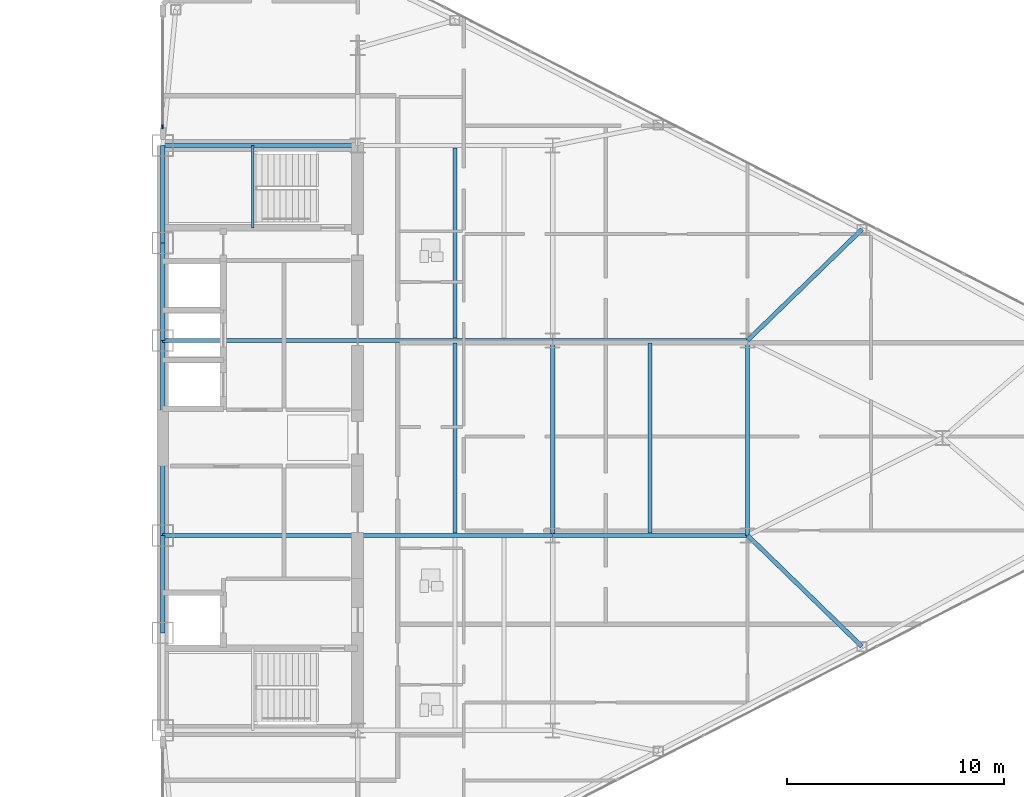
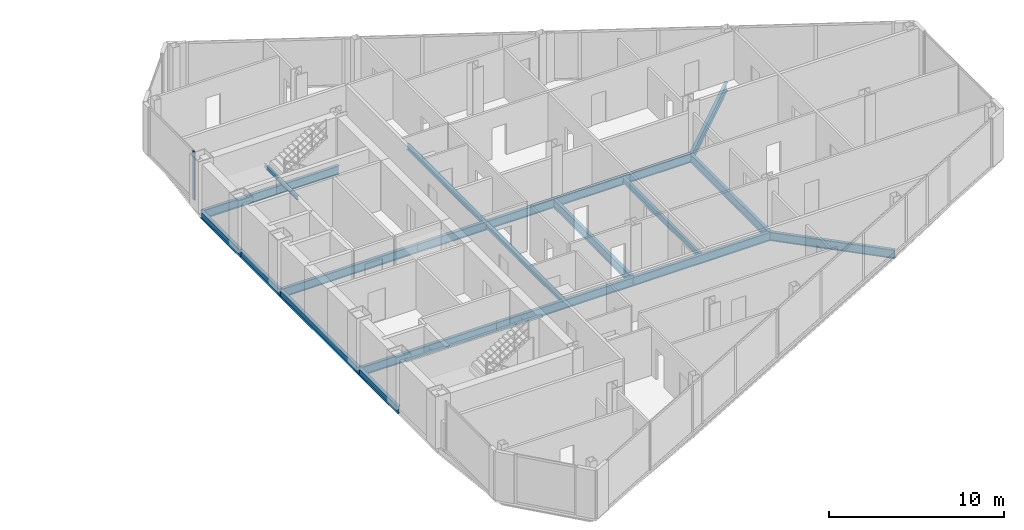
# One storey, part 10 of 23: 19 beams, 1 member, 1 element without a shape of its own.
"""IFC4 building model written with IfcOpenShell, lengths in metres."""

from ifc_helpers import new_model, si_unit, direction, frame, origin, origin_2d, place, context, subcontext, project, spatial, rectangle, i_section, extrude, source, transform, mapped, material, layer, layer_set, material_profile, profile_set, type_object, type_shapes, element, aggregate, save


model = new_model("IFC4")

# Units and contexts
model_context = context("Model", 3, precision=1e-05, world=origin(), true_north=direction((0.0, 1.0)))
body_context = subcontext(model_context, "Body", "Model", "MODEL_VIEW")
ifc_project = project(units=[si_unit("LENGTHUNIT", "METRE"), si_unit("AREAUNIT", "SQUARE_METRE"), si_unit("VOLUMEUNIT", "CUBIC_METRE"), si_unit("PLANEANGLEUNIT", "RADIAN"), si_unit("MASSUNIT", "GRAM", prefix="KILO")], contexts=[model_context])

# Site, building, storey
site_placement = place(None, origin())
site = spatial("IfcSite", under=ifc_project, at=site_placement, CompositionType="ELEMENT")
building_placement = place(site_placement, origin())
building = spatial("IfcBuilding", under=site, at=building_placement, Name="Seokmaru Belvedere", CompositionType="ELEMENT")
storey_placement = place(building_placement, frame((0.0, 0.0, 154.800048828125)))
storey = spatial("IfcBuildingStorey", under=building, at=storey_placement, Name="L41", CompositionType="ELEMENT", Elevation=154.800048828125)

# Beams
ifc_material_1 = material(Name="Steel SM355 (355 MPa)", Category="steel")
ifc_material_profile_1 = material_profile(ifc_material_1, i_section(OverallWidth=0.199951171875, OverallDepth=0.5, WebThickness=0.010009765625, FlangeThickness=0.01611328125, at=origin_2d()), Name="H-500x200x10x16")
ifc_profile_set_1 = profile_set([ifc_material_profile_1], Name="Steel SM355 (355 MPa)")
beam_type_1 = type_object("IfcBeamType", Name="Perimeter Spandrel Beam H-500", PredefinedType="SPANDREL", material=ifc_profile_set_1)
shared_shape_1 = source(origin(), body_context, "Body", "SweptSolid", [
    extrude(i_section(OverallWidth=0.199951171875, OverallDepth=0.5, WebThickness=0.010009765625, FlangeThickness=0.01611328125, at=origin_2d()), origin(), (0.0, 0.0, 1.0), 4.5),
])
for number, where, z_axis, x_axis, name in (
    (1, (27.5, -9.0, -0.469970703125), (0.0, 1.0, 0.0), (-1.0, 0.0, 0.0), "L41 E Portal Spine Spandrel 2"),
    (2, (27.5, 4.5, -0.469970703125), (0.0, 1.0, 0.0), (-1.0, 0.0, 0.0), "L41 E Portal Spine Spandrel 4"),
    (3, (27.5, 9.0, -0.469970703125), (0.0, 1.0, 0.0), (-1.0, 0.0, 0.0), "L41 E Portal Spine Spandrel 5"),
):
    element("IfcBeam", number, at=place(storey_placement, frame(where, z_axis=z_axis, x_axis=x_axis)), inside=storey, type_object=beam_type_1, Name=name, PredefinedType="SPANDREL", context=body_context, shape_type="MappedRepresentation", body=[
        mapped(shared_shape_1, transform((0.0, 0.0, 0.0), scale=1.0)),
    ])
shared_shape_2 = source(origin(), body_context, "Body", "SweptSolid", [
    extrude(i_section(OverallWidth=0.199951171875, OverallDepth=0.5, WebThickness=0.010009765625, FlangeThickness=0.01611328125, at=origin_2d()), origin(), (0.0, 0.0, 1.0), 9.0),
])
type_shapes(beam_type_1, [shared_shape_1, shared_shape_2])
beam_1_placement = place(storey_placement, frame((27.5, -4.5, -0.469970703125), z_axis=(0.0, 1.0, 0.0), x_axis=(-1.0, 0.0, 0.0)))
element("IfcBeam", 4, at=beam_1_placement, inside=storey, type_object=beam_type_1, Name="L41 E Portal Spine Spandrel 3", PredefinedType="SPANDREL", context=body_context, shape_type="MappedRepresentation", body=[
    mapped(shared_shape_2, transform((0.0, 0.0, 0.0), scale=1.0)),
])
ifc_material_profile_2 = material_profile(ifc_material_1, i_section(OverallWidth=0.199951171875, OverallDepth=0.60009765625, WebThickness=0.010986328125, FlangeThickness=0.01708984375, at=origin_2d()), Name="H-600x200x11x17")
ifc_profile_set_2 = profile_set([ifc_material_profile_2], Name="Steel SM355 (355 MPa)")
beam_type_2 = type_object("IfcBeamType", Name="Primary Floor Girder H-600", PredefinedType="BEAM", material=ifc_profile_set_2)
shared_shape_3 = source(origin(), body_context, "Body", "SweptSolid", [
    extrude(i_section(OverallWidth=0.199951171875, OverallDepth=0.60009765625, WebThickness=0.010986328125, FlangeThickness=0.01708984375, at=origin_2d()), origin(), (0.0, 0.0, 1.0), 9.0),
])
for number, where, z_axis, x_axis, name in (
    (5, (45.5, -4.5, -0.52001953125), (0.0, 1.0, 0.0), (-1.0, 0.0, 0.0), "L41 E Interior Grid Girder 2"),
    (6, (27.5, -4.5, -0.52001953125), (1.0, 0.0, 0.0), (0.0, 1.0, 0.0), "L41 E Core Tie Girder 2"),
    (7, (36.5, -4.5, -0.52001953125), (1.0, 0.0, 0.0), (0.0, 1.0, 0.0), "L41 E Wing Primary Girder 2"),
    (8, (27.5, 4.5, -0.52001953125), (1.0, 0.0, 0.0), (0.0, 1.0, 0.0), "L41 E Core Tie Girder 3"),
    (9, (36.5, 4.5, -0.52001953125), (1.0, 0.0, 0.0), (0.0, 1.0, 0.0), "L41 E Wing Primary Girder 3"),
    (10, (27.5, 13.5, -0.52001953125), (1.0, 0.0, 0.0), (0.0, 1.0, 0.0), "L41 E Core Tie Girder 4"),
    (11, (45.5, -4.5, -0.52001953125), (1.0, 0.0, 0.0), (0.0, 1.0, 0.0), "L41 E Outer Wing Girder 1"),
    (12, (45.5, 4.5, -0.52001953125), (1.0, 0.0, 0.0), (0.0, 1.0, 0.0), "L41 E Outer Wing Girder 2"),
    (13, (54.5, -4.5, -0.52001953125), (0.0, 1.0, 0.0), (-1.0, 0.0, 0.0), "L41 E Apex Frame Girder"),
):
    element("IfcBeam", number, at=place(storey_placement, frame(where, z_axis=z_axis, x_axis=x_axis)), inside=storey, type_object=beam_type_2, Name=name, PredefinedType="BEAM", context=body_context, shape_type="MappedRepresentation", body=[
        mapped(shared_shape_3, transform((0.0, 0.0, 0.0), scale=1.0)),
    ])
ifc_material_profile_3 = material_profile(ifc_material_1, i_section(OverallWidth=0.18505859375, OverallDepth=0.389892578125, WebThickness=0.008056640625, FlangeThickness=0.011962890625, at=origin_2d()), Name="H-390x185x8x12")
ifc_profile_set_3 = profile_set([ifc_material_profile_3], Name="Steel SM355 (355 MPa)")
beam_type_3 = type_object("IfcBeamType", Name="Secondary Floor Joist H-350", PredefinedType="JOIST", material=ifc_profile_set_3)
shared_shape_4 = source(origin(), body_context, "Body", "SweptSolid", [
    extrude(i_section(OverallWidth=0.18505859375, OverallDepth=0.389892578125, WebThickness=0.008056640625, FlangeThickness=0.011962890625, at=origin_2d()), origin(), (0.0, 0.0, 1.0), 8.7900390625),
])
type_shapes(beam_type_3, [shared_shape_4])
for number, where, z_axis, x_axis, name in (
    (14, (41.0, -4.39501953125, -0.4150390625), (0.0, 1.0, 0.0), (-1.0, 0.0, 0.0), "L41 E Secondary Floor Joist 2"),
    (15, (41.0, 4.60498046875, -0.4150390625), (0.0, 1.0, 0.0), (-1.0, 0.0, 0.0), "L41 E Secondary Floor Joist 3"),
    (16, (50.0, -4.39501953125, -0.4150390625), (0.0, 1.0, 0.0), (-1.0, 0.0, 0.0), "L41 E Outer Bay Secondary Joist"),
):
    element("IfcBeam", number, at=place(storey_placement, frame(where, z_axis=z_axis, x_axis=x_axis)), inside=storey, type_object=beam_type_3, Name=name, PredefinedType="JOIST", context=body_context, shape_type="MappedRepresentation", body=[
        mapped(shared_shape_4, transform((0.0, 0.0, 0.0), scale=1.0)),
    ])
shared_shape_5 = source(origin(), body_context, "Body", "SweptSolid", [
    extrude(i_section(OverallWidth=0.199951171875, OverallDepth=0.60009765625, WebThickness=0.010986328125, FlangeThickness=0.01708984375, at=origin_2d()), origin(), (0.0, 0.0, 1.0), 7.35986328125),
])
type_shapes(beam_type_2, [shared_shape_3, shared_shape_5])
for number, where, z_axis, x_axis, name in (
    (17, (59.778564453125, -9.62890625, -0.52001953125), (-0.717200745515, 0.696866623273, 0.0), (-0.696866623273, -0.717200745515, 0.0), "L41 E Flank Radial Floor Girder S-3"),
    (18, (59.778564453125, 9.62890625, -0.52001953125), (-0.717200745515, -0.696866623273, 0.0), (0.696866623273, -0.717200745515, 0.0), "L41 E Flank Radial Floor Girder N-3"),
):
    element("IfcBeam", number, at=place(storey_placement, frame(where, z_axis=z_axis, x_axis=x_axis)), inside=storey, type_object=beam_type_2, Name=name, PredefinedType="BEAM", context=body_context, shape_type="MappedRepresentation", body=[
        mapped(shared_shape_5, transform((0.0, 0.0, 0.0), scale=1.0)),
    ])

# Curtain wall, member
ifc_material_2 = material(Name="Bronze Triple Insulating Glass", Category="glass")
ifc_layer = layer(ifc_material_2, 0.195068359375)
ifc_layer_set = layer_set([ifc_layer], Name="Bronze Triple Insulating Glass")
curtain_wall_type = type_object("IfcCurtainWallType", Name="Sky-Lobby and Mid-Rise Curtain Wall System CW-4", PredefinedType="NOTDEFINED", material=ifc_layer_set)
curtain_wall_placement = place(storey_placement, origin())
curtain_wall = element("IfcCurtainWall", 19, at=curtain_wall_placement, inside=storey, type_object=curtain_wall_type, Name="L41 Curtain Wall ESP_2", PredefinedType="NOTDEFINED")
ifc_material_3 = material(Name="Anodised Bronze Aluminium", Category="aluminium")
ifc_material_profile_4 = material_profile(ifc_material_3, rectangle(XDim=0.070068359375, YDim=0.195068359375, at=origin_2d()), Name="CW-M-70x195")
ifc_profile_set_4 = profile_set([ifc_material_profile_4], Name="Anodised Bronze Aluminium")
member_type = type_object("IfcMemberType", Name="Bronze Unitised Mullion 70x195", PredefinedType="MULLION", material=ifc_profile_set_4)
shared_shape_6 = source(origin(), body_context, "Body", "SweptSolid", [
    extrude(rectangle(XDim=0.070068359375, YDim=0.195068359375, at=origin_2d()), origin(), (0.0, 0.0, 1.0), 3.3798828125),
])
type_shapes(member_type, [shared_shape_6])
member_placement = place(storey_placement, frame((27.5, 14.364990234375, 0.0), z_axis=(0.0, 0.0, 1.0), x_axis=(1.0, 0.0, 0.0)))
member = element("IfcMember", 20, at=member_placement, type_object=member_type, Name="CW:L41:ESP_2 Mullion 2", PredefinedType="MULLION", context=body_context, shape_type="MappedRepresentation", body=[
    mapped(shared_shape_6, transform((0.0, 0.0, 0.0), scale=1.0)),
])
aggregate(curtain_wall, [member])

# Beam
ifc_material_profile_5 = material_profile(ifc_material_1, i_section(OverallWidth=0.125, OverallDepth=0.25, WebThickness=0.006103515625, FlangeThickness=0.009033203125, at=origin_2d()), Name="H-250x125x6x9")
ifc_profile_set_5 = profile_set([ifc_material_profile_5], Name="Steel SM355 (355 MPa)")
beam_type_4 = type_object("IfcBeamType", Name="Stair Mid-Landing Support Beam H-250", PredefinedType="JOIST", material=ifc_profile_set_5)
shared_shape_7 = source(origin(), body_context, "Body", "SweptSolid", [
    extrude(i_section(OverallWidth=0.125, OverallDepth=0.25, WebThickness=0.006103515625, FlangeThickness=0.009033203125, at=origin_2d()), origin(), (0.0, 0.0, 1.0), 3.800048828125),
])
type_shapes(beam_type_4, [shared_shape_7])
beam_2_placement = place(storey_placement, frame((31.64990234375, 9.699951171875, 1.474853515625), z_axis=(0.0, 1.0, 0.0), x_axis=(-1.0, 0.0, 0.0)))
element("IfcBeam", 21, at=beam_2_placement, inside=storey, type_object=beam_type_4, Name="L41 Stair ST-E2 Mid-Landing Support Beam 1", PredefinedType="JOIST", context=body_context, shape_type="MappedRepresentation", body=[
    mapped(shared_shape_7, transform((0.0, 0.0, 0.0), scale=1.0)),
])

save(model, "model.ifc")
